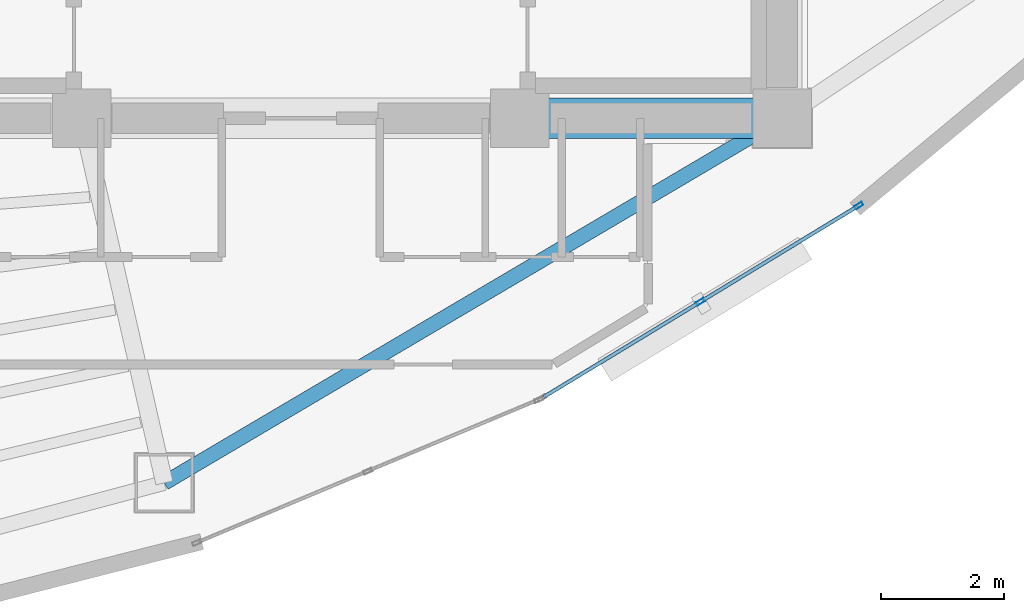
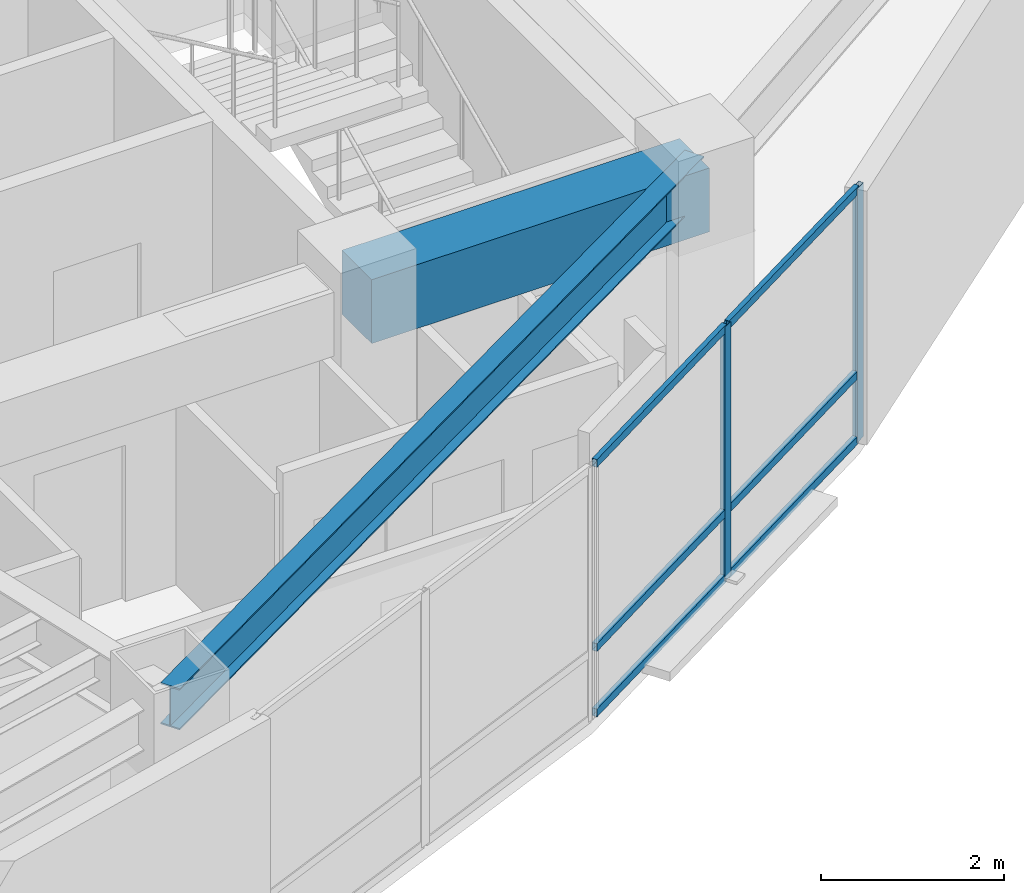
# One storey, part 5 of 16: 8 members, 2 beams, 1 element without a shape of its own.
"""IFC4 building model written with IfcOpenShell, lengths in metres."""

from ifc_helpers import new_model, si_unit, direction, frame, origin, origin_2d, place, context, subcontext, project, spatial, rectangle, hollow_rectangle, i_section, extrude, material, layer, layer_set, material_profile, profile_set, type_object, element, aggregate, save


model = new_model("IFC4")

# Units and contexts
model_context = context("Model", 3, precision=1e-05, world=origin(), true_north=direction((0.0, 1.0)))
body_context = subcontext(model_context, "Body", "Model", "MODEL_VIEW")
ifc_project = project(units=[si_unit("LENGTHUNIT", "METRE"), si_unit("AREAUNIT", "SQUARE_METRE"), si_unit("VOLUMEUNIT", "CUBIC_METRE"), si_unit("PLANEANGLEUNIT", "RADIAN"), si_unit("MASSUNIT", "GRAM", prefix="KILO")], contexts=[model_context])

# Site, building, storey
site_placement = place(None, origin())
site = spatial("IfcSite", under=ifc_project, at=site_placement, CompositionType="ELEMENT")
building_placement = place(site_placement, origin())
building = spatial("IfcBuilding", under=site, at=building_placement, Name="Menara Vayukalpa", CompositionType="ELEMENT")
storey_placement = place(building_placement, frame((0.0, 0.0, 210.1201171875)))
storey = spatial("IfcBuildingStorey", under=building, at=storey_placement, Name="L53", CompositionType="ELEMENT", Elevation=210.1201171875)

# Beams
ifc_material_1 = material(Name="Concrete C60/75", Category="concrete")
ifc_material_profile_1 = material_profile(ifc_material_1, rectangle(XDim=0.64990234375, YDim=0.85009765625, at=origin_2d()), Name="RC 650x850")
ifc_profile_set_1 = profile_set([ifc_material_profile_1], Name="Concrete C60/75")
beam_type_1 = type_object("IfcBeamType", Name="BM-CB1", PredefinedType="BEAM", material=ifc_profile_set_1)
beam_1_placement = place(storey_placement, frame((29.14990234375, 17.199951171875, 2.954833984375), z_axis=(1.0, 0.0, 0.0), x_axis=(0.0, 1.0, 0.0)))
element("IfcBeam", 1, at=beam_1_placement, inside=storey, type_object=beam_type_1, Name="L53 Core Tie Beam CBR3", PredefinedType="BEAM", context=body_context, shape_type="SweptSolid", body=[
    extrude(rectangle(XDim=0.64990234375, YDim=0.85009765625, at=origin_2d()), origin(), (0.0, 0.0, 1.0), 4.25),
])
ifc_material_2 = material(Name="Steel S355", Category="steel")
ifc_material_profile_2 = material_profile(ifc_material_2, i_section(OverallWidth=0.239990234375, OverallDepth=0.550048828125, WebThickness=0.010986328125, FlangeThickness=0.01904296875, at=origin_2d()), Name="WF 550x240x11x19")
ifc_profile_set_2 = profile_set([ifc_material_profile_2], Name="Steel S355")
beam_type_2 = type_object("IfcBeamType", Name="BM-SP2", PredefinedType="SPANDREL", material=ifc_profile_set_2)
beam_2_placement = place(storey_placement, frame((23.389404296875, 11.29150390625, 3.10498046875), z_axis=(0.861184403346, 0.508292655302, 0.0), x_axis=(-0.508292655302, 0.861184403346, 0.0)))
element("IfcBeam", 2, at=beam_2_placement, inside=storey, type_object=beam_type_2, Name="L53 Perimeter Spandrel Beam SP08", PredefinedType="SPANDREL", context=body_context, shape_type="SweptSolid", body=[
    extrude(i_section(OverallWidth=0.239990234375, OverallDepth=0.550048828125, WebThickness=0.010986328125, FlangeThickness=0.01904296875, at=origin_2d()), origin(), (0.0, 0.0, 1.0), 11.6240234375),
])

# Curtain wall, members
ifc_material_3 = material(Name="Anodised Terracotta Aluminium Alloy 6063-T6", Category="masonry")
ifc_layer = layer(ifc_material_3, 0.139892578125)
ifc_layer_set = layer_set([ifc_layer], Name="Anodised Terracotta Aluminium Alloy 6063-T6")
curtain_wall_type = type_object("IfcCurtainWallType", Name="CW-CW5", PredefinedType="USERDEFINED", material=ifc_layer_set)
curtain_wall_placement = place(storey_placement, origin())
curtain_wall = element("IfcCurtainWall", 3, at=curtain_wall_placement, inside=storey, type_object=curtain_wall_type, Name="L53 High Rise Tapered Curtain Wall CW5 17", ObjectType="UNITISED", PredefinedType="USERDEFINED")
ifc_material_4 = material(Name="Anodised Terracotta Aluminium Alloy 6063-T6", Category="masonry")
ifc_material_profile_3 = material_profile(ifc_material_4, hollow_rectangle(XDim=0.06005859375, YDim=0.139892578125, WallThickness=0.00341796875, at=origin_2d()), Name="ALU 60x140x3.5")
ifc_profile_set_3 = profile_set([ifc_material_profile_3], Name="Anodised Terracotta Aluminium Alloy 6063-T6")
member_type_1 = type_object("IfcMemberType", Name="CWM-CW5", PredefinedType="MULLION", material=ifc_profile_set_3)
member_1_placement = place(storey_placement, frame((32.075439453125, 14.226318359375, 0.0), z_axis=(0.0, 0.0, 1.0), x_axis=(-0.519179911779, 0.854664974832, 0.0)))
member_1 = element("IfcMember", 4, at=member_1_placement, type_object=member_type_1, Name="CW5 mullion 2", PredefinedType="MULLION", context=body_context, shape_type="SweptSolid", body=[
    extrude(hollow_rectangle(XDim=0.06005859375, YDim=0.139892578125, WallThickness=0.00341796875, at=origin_2d()), origin(), (0.0, 0.0, 1.0), 3.3798828125),
])
member_2_placement = place(storey_placement, frame((34.6416015625, 15.78515625, 0.0), z_axis=(0.0, 0.0, 1.0), x_axis=(-0.519179911779, 0.854664974832, 0.0)))
member_2 = element("IfcMember", 5, at=member_2_placement, type_object=member_type_1, Name="CW5 mullion 3", PredefinedType="MULLION", context=body_context, shape_type="SweptSolid", body=[
    extrude(hollow_rectangle(XDim=0.06005859375, YDim=0.139892578125, WallThickness=0.00341796875, at=origin_2d()), origin(), (0.0, 0.0, 1.0), 3.3798828125),
])
ifc_material_5 = material(Name="Anodised Terracotta Aluminium Alloy 6063-T6", Category="masonry")
ifc_material_profile_4 = material_profile(ifc_material_5, hollow_rectangle(XDim=0.06005859375, YDim=0.10498046875, WallThickness=0.0029296875, at=origin_2d()), Name="ALU 60x105x3")
ifc_profile_set_4 = profile_set([ifc_material_profile_4], Name="Anodised Terracotta Aluminium Alloy 6063-T6")
member_type_2 = type_object("IfcMemberType", Name="CWT-CW5", PredefinedType="USERDEFINED", material=ifc_profile_set_4)
member_3_placement = place(storey_placement, frame((29.53515625, 12.68310546875, 0.02978515625), z_axis=(0.85466128475, 0.51918598628, 0.0), x_axis=(-0.51918598628, 0.85466128475, 0.0)))
member_3 = element("IfcMember", 6, at=member_3_placement, type_object=member_type_2, Name="CW5 transom 1.1", ObjectType="TRANSOM", PredefinedType="USERDEFINED", context=body_context, shape_type="SweptSolid", body=[
    extrude(hollow_rectangle(XDim=0.06005859375, YDim=0.10498046875, WallThickness=0.0029296875, at=origin_2d()), origin(), (0.0, 0.0, 1.0), 2.9423828125),
])
member_4_placement = place(storey_placement, frame((29.53515625, 12.68310546875, 0.89990234375), z_axis=(0.85466128475, 0.51918598628, 0.0), x_axis=(-0.51918598628, 0.85466128475, 0.0)))
member_4 = element("IfcMember", 7, at=member_4_placement, type_object=member_type_2, Name="CW5 transom 1.2", ObjectType="TRANSOM", PredefinedType="USERDEFINED", context=body_context, shape_type="SweptSolid", body=[
    extrude(hollow_rectangle(XDim=0.06005859375, YDim=0.10498046875, WallThickness=0.0029296875, at=origin_2d()), origin(), (0.0, 0.0, 1.0), 2.9423828125),
])
member_5_placement = place(storey_placement, frame((29.53515625, 12.68310546875, 3.349853515625), z_axis=(0.85466128475, 0.51918598628, 0.0), x_axis=(-0.51918598628, 0.85466128475, 0.0)))
member_5 = element("IfcMember", 8, at=member_5_placement, type_object=member_type_2, Name="CW5 transom 1.3", ObjectType="TRANSOM", PredefinedType="USERDEFINED", context=body_context, shape_type="SweptSolid", body=[
    extrude(hollow_rectangle(XDim=0.06005859375, YDim=0.10498046875, WallThickness=0.0029296875, at=origin_2d()), origin(), (0.0, 0.0, 1.0), 2.9423828125),
])
member_6_placement = place(storey_placement, frame((32.10107421875, 14.241943359375, 0.02978515625), z_axis=(0.854683649113, 0.519149169255, 0.0), x_axis=(-0.519149169255, 0.854683649113, 0.0)))
member_6 = element("IfcMember", 9, at=member_6_placement, type_object=member_type_2, Name="CW5 transom 2.1", ObjectType="TRANSOM", PredefinedType="USERDEFINED", context=body_context, shape_type="SweptSolid", body=[
    extrude(hollow_rectangle(XDim=0.06005859375, YDim=0.10498046875, WallThickness=0.0029296875, at=origin_2d()), origin(), (0.0, 0.0, 1.0), 2.9423828125),
])
member_7_placement = place(storey_placement, frame((32.10107421875, 14.241943359375, 0.89990234375), z_axis=(0.854683649113, 0.519149169255, 0.0), x_axis=(-0.519149169255, 0.854683649113, 0.0)))
member_7 = element("IfcMember", 10, at=member_7_placement, type_object=member_type_2, Name="CW5 transom 2.2", ObjectType="TRANSOM", PredefinedType="USERDEFINED", context=body_context, shape_type="SweptSolid", body=[
    extrude(hollow_rectangle(XDim=0.06005859375, YDim=0.10498046875, WallThickness=0.0029296875, at=origin_2d()), origin(), (0.0, 0.0, 1.0), 2.9423828125),
])
member_8_placement = place(storey_placement, frame((32.10107421875, 14.241943359375, 3.349853515625), z_axis=(0.854683649113, 0.519149169255, 0.0), x_axis=(-0.519149169255, 0.854683649113, 0.0)))
member_8 = element("IfcMember", 11, at=member_8_placement, type_object=member_type_2, Name="CW5 transom 2.3", ObjectType="TRANSOM", PredefinedType="USERDEFINED", context=body_context, shape_type="SweptSolid", body=[
    extrude(hollow_rectangle(XDim=0.06005859375, YDim=0.10498046875, WallThickness=0.0029296875, at=origin_2d()), origin(), (0.0, 0.0, 1.0), 2.9423828125),
])
aggregate(curtain_wall, [member_1, member_2, member_3, member_4, member_5, member_6, member_7, member_8])

save(model, "model.ifc")
